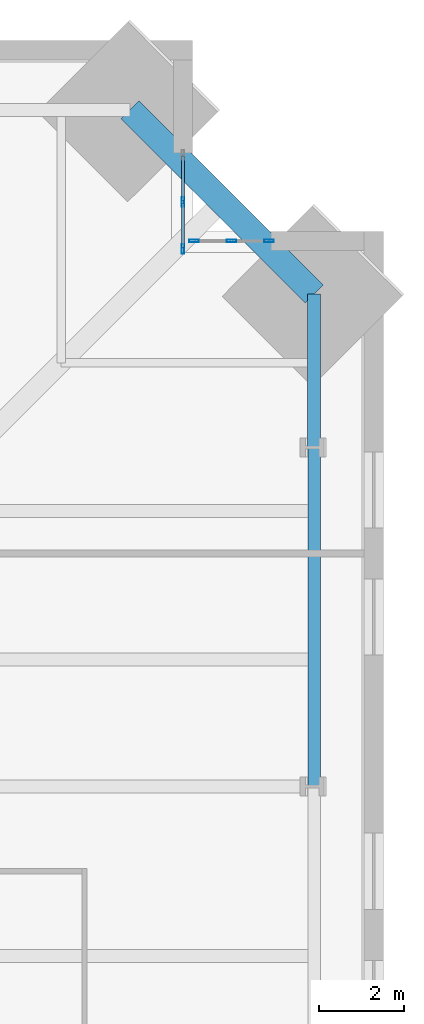
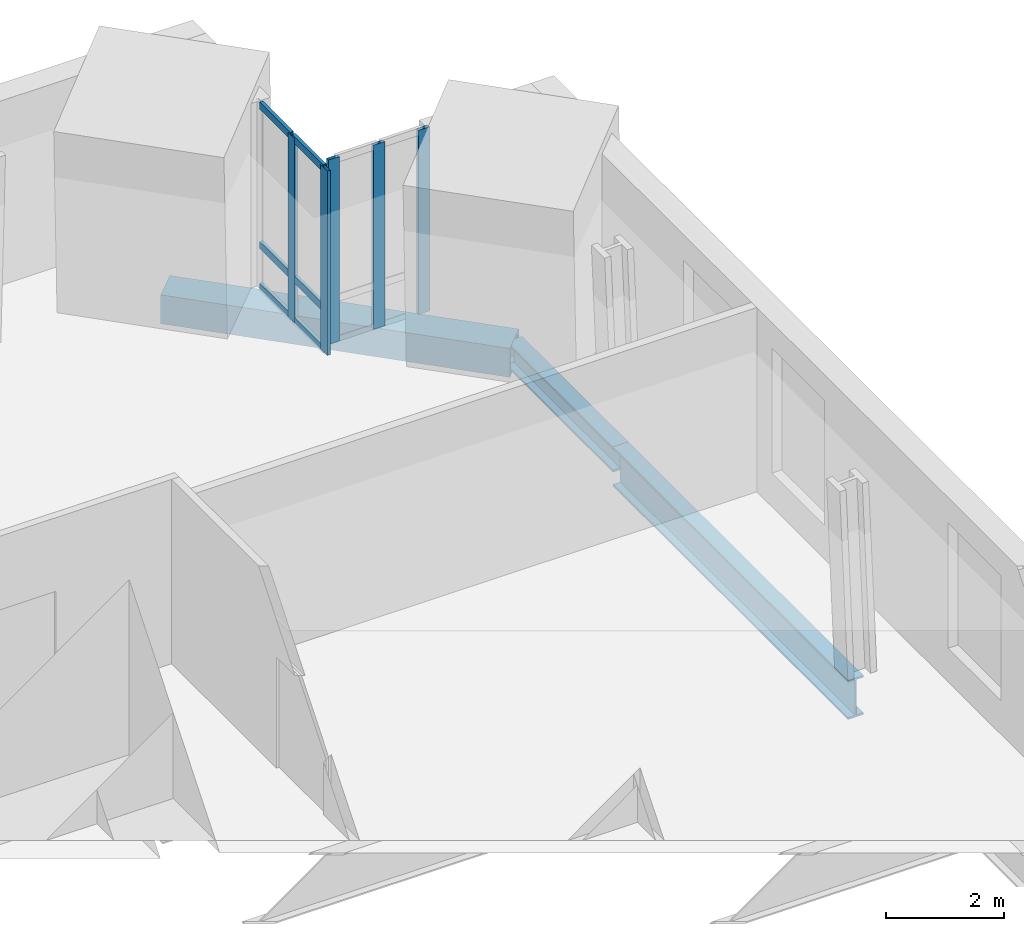
# One storey, part 10 of 18: 11 members, 3 beams, 2 elements without a shape of their own.
"""IFC4 building model written with IfcOpenShell, lengths in metres."""

from ifc_helpers import new_model, si_unit, direction, frame, origin, origin_2d, place, context, subcontext, project, spatial, hollow_rectangle, i_section, extrude, material, material_profile, profile_set, type_object, element, aggregate, save


model = new_model("IFC4")

# Units and contexts
model_context = context("Model", 3, precision=1e-05, world=origin(), true_north=direction((0.0, 1.0)))
body_context = subcontext(model_context, "Body", "Model", "MODEL_VIEW")
ifc_project = project(units=[si_unit("LENGTHUNIT", "METRE"), si_unit("AREAUNIT", "SQUARE_METRE"), si_unit("VOLUMEUNIT", "CUBIC_METRE"), si_unit("PLANEANGLEUNIT", "RADIAN"), si_unit("MASSUNIT", "GRAM", prefix="KILO")], contexts=[model_context])

# Site, building, storey
site_placement = place(None, origin())
site = spatial("IfcSite", under=ifc_project, at=site_placement, CompositionType="ELEMENT")
building_placement = place(site_placement, origin())
building = spatial("IfcBuilding", under=site, at=building_placement, Name="Peilmerk Tower", CompositionType="ELEMENT")
storey_placement = place(building_placement, frame((0.0, 0.0, 171.800048828125)))
storey = spatial("IfcBuildingStorey", under=building, at=storey_placement, Name="L36", CompositionType="ELEMENT", Elevation=171.800048828125)

# Beams
ifc_material_1 = material(Name="Steel S355", Category="steel")
ifc_material_profile_1 = material_profile(ifc_material_1, i_section(OverallWidth=0.302978515625, OverallDepth=0.81396484375, WebThickness=0.02099609375, FlangeThickness=0.0400390625, at=origin_2d()), Name="HEM 800")
ifc_profile_set_1 = profile_set([ifc_material_profile_1], Name="Steel S355")
beam_type_1 = type_object("IfcBeamType", Name="B15 HEM 800 edge beam", PredefinedType="SPANDREL", material=ifc_profile_set_1)
beam_1_placement = place(storey_placement, frame((23.96923828125, 8.0, -0.5771484375), z_axis=(0.0, 1.0, 0.0), x_axis=(-1.0, 0.0, 0.0)))
element("IfcBeam", 1, at=beam_1_placement, inside=storey, type_object=beam_type_1, Name="Edge beam L36", PredefinedType="SPANDREL", context=body_context, shape_type="SweptSolid", body=[
    extrude(i_section(OverallWidth=0.302978515625, OverallDepth=0.81396484375, WebThickness=0.02099609375, FlangeThickness=0.0400390625, at=origin_2d()), origin(), (0.0, 0.0, 1.0), 8.0),
])
ifc_material_2 = material(Name="Steel S460", Category="steel")
ifc_material_profile_2 = material_profile(ifc_material_2, hollow_rectangle(XDim=0.60009765625, YDim=0.60009765625, WallThickness=0.06005859375, at=origin_2d()), Name="BOX 600x600x60")
ifc_profile_set_2 = profile_set([ifc_material_profile_2], Name="Steel S460")
beam_type_2 = type_object("IfcBeamType", Name="B20 BOX 600x600x60 notch beam", PredefinedType="SPANDREL", material=ifc_profile_set_2)
beam_2_placement = place(storey_placement, frame((19.619384765625, 23.96923828125, -0.469970703125), z_axis=(0.707106781187, -0.707106781187, 0.0), x_axis=(0.707106781187, 0.707106781187, 0.0)))
element("IfcBeam", 2, at=beam_2_placement, inside=storey, type_object=beam_type_2, Name="Notch beam L36", PredefinedType="SPANDREL", context=body_context, shape_type="SweptSolid", body=[
    extrude(hollow_rectangle(XDim=0.60009765625, YDim=0.60009765625, WallThickness=0.06005859375, at=origin_2d()), origin(), (0.0, 0.0, 1.0), 6.151611328125),
])
ifc_material_profile_3 = material_profile(ifc_material_1, i_section(OverallWidth=0.305908203125, OverallDepth=0.52392578125, WebThickness=0.02099609375, FlangeThickness=0.0400390625, at=origin_2d()), Name="HEM 500")
ifc_profile_set_3 = profile_set([ifc_material_profile_3], Name="Steel S355")
beam_type_3 = type_object("IfcBeamType", Name="B33 HEM 500 edge beam", PredefinedType="SPANDREL", material=ifc_profile_set_3)
beam_3_placement = place(storey_placement, frame((23.96923828125, 16.0, -0.43212890625), z_axis=(0.0, 1.0, 0.0), x_axis=(-1.0, 0.0, 0.0)))
element("IfcBeam", 3, at=beam_3_placement, inside=storey, type_object=beam_type_3, Name="Edge beam L36", PredefinedType="SPANDREL", context=body_context, shape_type="SweptSolid", body=[
    extrude(i_section(OverallWidth=0.305908203125, OverallDepth=0.52392578125, WebThickness=0.02099609375, FlangeThickness=0.0400390625, at=origin_2d()), origin(), (0.0, 0.0, 1.0), 3.619384765625),
])

# Curtain wall, members
ifc_material_3 = material(Name="Aluminium stick curtain wall", Category="aluminium")
curtain_wall_type = type_object("IfcCurtainWallType", Name="CW3 stick curtain wall, 2250 module", PredefinedType="NOTDEFINED", material=ifc_material_3)
curtain_wall_1_placement = place(storey_placement, origin())
curtain_wall_1 = element("IfcCurtainWall", 4, at=curtain_wall_1_placement, inside=storey, type_object=curtain_wall_type, Name="Curtain wall CW3 NEA L36", PredefinedType="NOTDEFINED")
ifc_material_4 = material(Name="Aluminium EN AW-6063 T6", Category="aluminium")
ifc_material_profile_4 = material_profile(ifc_material_4, hollow_rectangle(XDim=0.06494140625, YDim=0.22509765625, WallThickness=0.00390625, at=origin_2d()), Name="AL 225x65x4")
ifc_profile_set_4 = profile_set([ifc_material_profile_4], Name="Aluminium EN AW-6063 T6")
member_type_1 = type_object("IfcMemberType", Name="CW3-M AL 225x65x4 mullion", PredefinedType="MULLION", material=ifc_profile_set_4)
member_1_placement = place(storey_placement, frame((20.875, 20.6826171875, 0.0), z_axis=(0.0, 0.0, 1.0), x_axis=(-1.0, 0.0, 0.0)))
member_1 = element("IfcMember", 5, at=member_1_placement, type_object=member_type_1, Name="CW3 mullion 1", PredefinedType="MULLION", context=body_context, shape_type="SweptSolid", body=[
    extrude(hollow_rectangle(XDim=0.06494140625, YDim=0.22509765625, WallThickness=0.00390625, at=origin_2d()), origin(), (0.0, 0.0, 1.0), 3.829833984375),
])
member_2_placement = place(storey_placement, frame((20.875, 21.79443359375, 0.0), z_axis=(0.0, 0.0, 1.0), x_axis=(-1.0, 0.0, 0.0)))
member_2 = element("IfcMember", 6, at=member_2_placement, type_object=member_type_1, Name="CW3 mullion 2", PredefinedType="MULLION", context=body_context, shape_type="SweptSolid", body=[
    extrude(hollow_rectangle(XDim=0.06494140625, YDim=0.22509765625, WallThickness=0.00390625, at=origin_2d()), origin(), (0.0, 0.0, 1.0), 3.829833984375),
])

curtain_wall_2_placement = place(storey_placement, origin())
curtain_wall_2 = element("IfcCurtainWall", 7, at=curtain_wall_2_placement, inside=storey, type_object=curtain_wall_type, Name="Curtain wall CW3 NEB L36", PredefinedType="NOTDEFINED")
member_3_placement = place(storey_placement, frame((21.132568359375, 20.875, 0.0), z_axis=(0.0, 0.0, 1.0), x_axis=(0.0, 1.0, 0.0)))
member_3 = element("IfcMember", 8, at=member_3_placement, type_object=member_type_1, Name="CW3 mullion 1", PredefinedType="MULLION", context=body_context, shape_type="SweptSolid", body=[
    extrude(hollow_rectangle(XDim=0.06494140625, YDim=0.22509765625, WallThickness=0.00390625, at=origin_2d()), origin(), (0.0, 0.0, 1.0), 3.829833984375),
])
member_4_placement = place(storey_placement, frame((22.019287109375, 20.875, 0.0), z_axis=(0.0, 0.0, 1.0), x_axis=(0.0, 1.0, 0.0)))
member_4 = element("IfcMember", 9, at=member_4_placement, type_object=member_type_1, Name="CW3 mullion 2", PredefinedType="MULLION", context=body_context, shape_type="SweptSolid", body=[
    extrude(hollow_rectangle(XDim=0.06494140625, YDim=0.22509765625, WallThickness=0.00390625, at=origin_2d()), origin(), (0.0, 0.0, 1.0), 3.829833984375),
])
member_5_placement = place(storey_placement, frame((22.90625, 20.875, 0.0), z_axis=(0.0, 0.0, 1.0), x_axis=(0.0, 1.0, 0.0)))
member_5 = element("IfcMember", 10, at=member_5_placement, type_object=member_type_1, Name="CW3 mullion 3", PredefinedType="MULLION", context=body_context, shape_type="SweptSolid", body=[
    extrude(hollow_rectangle(XDim=0.06494140625, YDim=0.22509765625, WallThickness=0.00390625, at=origin_2d()), origin(), (0.0, 0.0, 1.0), 3.829833984375),
])
aggregate(curtain_wall_2, [member_3, member_4, member_5])

# Member
ifc_material_profile_5 = material_profile(ifc_material_4, hollow_rectangle(XDim=0.06494140625, YDim=0.14990234375, WallThickness=0.0029296875, at=origin_2d()), Name="AL 150x65x3")
ifc_profile_set_5 = profile_set([ifc_material_profile_5], Name="Aluminium EN AW-6063 T6")
member_type_2 = type_object("IfcMemberType", Name="CW3-T AL 150x65x3 transom", PredefinedType="USERDEFINED", material=ifc_profile_set_5)
member_6_placement = place(storey_placement, frame((20.875, 20.715087890625, 0.032470703125), z_axis=(0.0, 1.0, 0.0), x_axis=(-1.0, 0.0, 0.0)))
member_6 = element("IfcMember", 11, at=member_6_placement, type_object=member_type_2, Name="CW3 transom 1.1", ObjectType="TRANSOM", PredefinedType="USERDEFINED", context=body_context, shape_type="SweptSolid", body=[
    extrude(hollow_rectangle(XDim=0.06494140625, YDim=0.14990234375, WallThickness=0.0029296875, at=origin_2d()), origin(), (0.0, 0.0, 1.0), 1.046630859375),
])

member_7_placement = place(storey_placement, frame((20.875, 20.715087890625, 0.89990234375), z_axis=(0.0, 1.0, 0.0), x_axis=(-1.0, 0.0, 0.0)))
member_7 = element("IfcMember", 12, at=member_7_placement, type_object=member_type_2, Name="CW3 transom 1.2", ObjectType="TRANSOM", PredefinedType="USERDEFINED", context=body_context, shape_type="SweptSolid", body=[
    extrude(hollow_rectangle(XDim=0.06494140625, YDim=0.14990234375, WallThickness=0.0029296875, at=origin_2d()), origin(), (0.0, 0.0, 1.0), 1.046630859375),
])

member_8_placement = place(storey_placement, frame((20.875, 20.715087890625, 3.79736328125), z_axis=(0.0, 1.0, 0.0), x_axis=(-1.0, 0.0, 0.0)))
member_8 = element("IfcMember", 13, at=member_8_placement, type_object=member_type_2, Name="CW3 transom 1.3", ObjectType="TRANSOM", PredefinedType="USERDEFINED", context=body_context, shape_type="SweptSolid", body=[
    extrude(hollow_rectangle(XDim=0.06494140625, YDim=0.14990234375, WallThickness=0.0029296875, at=origin_2d()), origin(), (0.0, 0.0, 1.0), 1.046630859375),
])

member_9_placement = place(storey_placement, frame((20.875, 21.826904296875, 0.032470703125), z_axis=(0.0, 1.0, 0.0), x_axis=(-1.0, 0.0, 0.0)))
member_9 = element("IfcMember", 14, at=member_9_placement, type_object=member_type_2, Name="CW3 transom 2.1", ObjectType="TRANSOM", PredefinedType="USERDEFINED", context=body_context, shape_type="SweptSolid", body=[
    extrude(hollow_rectangle(XDim=0.06494140625, YDim=0.14990234375, WallThickness=0.0029296875, at=origin_2d()), origin(), (0.0, 0.0, 1.0), 1.046875),
])

member_10_placement = place(storey_placement, frame((20.875, 21.826904296875, 0.89990234375), z_axis=(0.0, 1.0, 0.0), x_axis=(-1.0, 0.0, 0.0)))
member_10 = element("IfcMember", 15, at=member_10_placement, type_object=member_type_2, Name="CW3 transom 2.2", ObjectType="TRANSOM", PredefinedType="USERDEFINED", context=body_context, shape_type="SweptSolid", body=[
    extrude(hollow_rectangle(XDim=0.06494140625, YDim=0.14990234375, WallThickness=0.0029296875, at=origin_2d()), origin(), (0.0, 0.0, 1.0), 1.046875),
])

member_11_placement = place(storey_placement, frame((20.875, 21.826904296875, 3.79736328125), z_axis=(0.0, 1.0, 0.0), x_axis=(-1.0, 0.0, 0.0)))
member_11 = element("IfcMember", 16, at=member_11_placement, type_object=member_type_2, Name="CW3 transom 2.3", ObjectType="TRANSOM", PredefinedType="USERDEFINED", context=body_context, shape_type="SweptSolid", body=[
    extrude(hollow_rectangle(XDim=0.06494140625, YDim=0.14990234375, WallThickness=0.0029296875, at=origin_2d()), origin(), (0.0, 0.0, 1.0), 1.046875),
])

aggregate(curtain_wall_1, [member_1, member_2, member_6, member_7, member_8, member_9, member_10, member_11])

save(model, "model.ifc")
